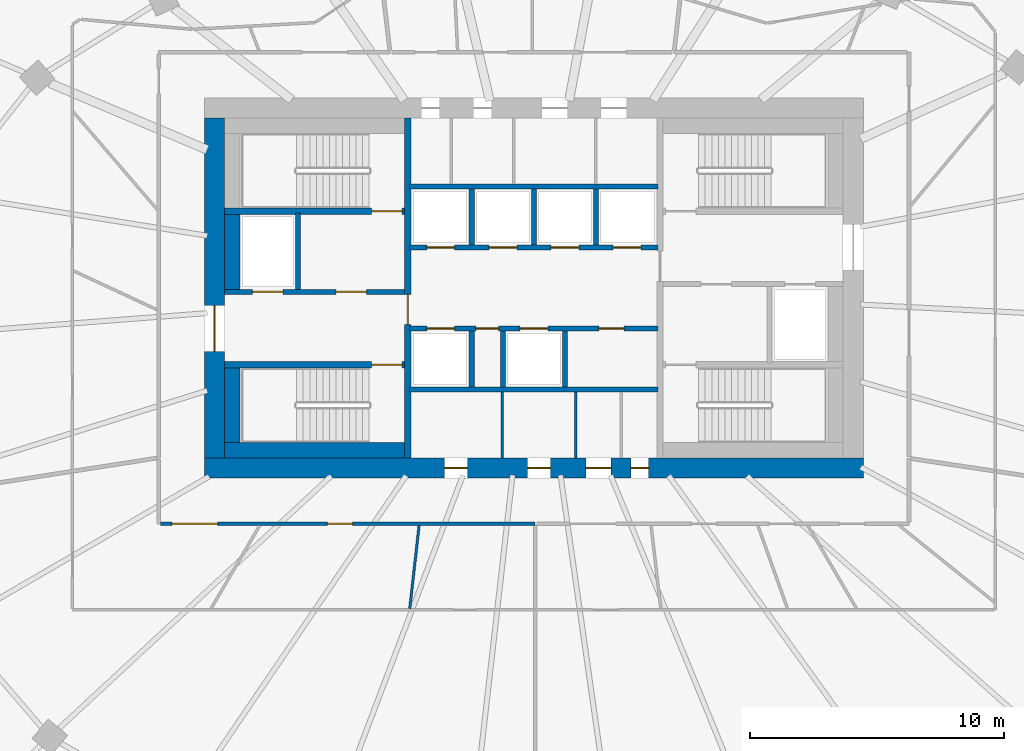
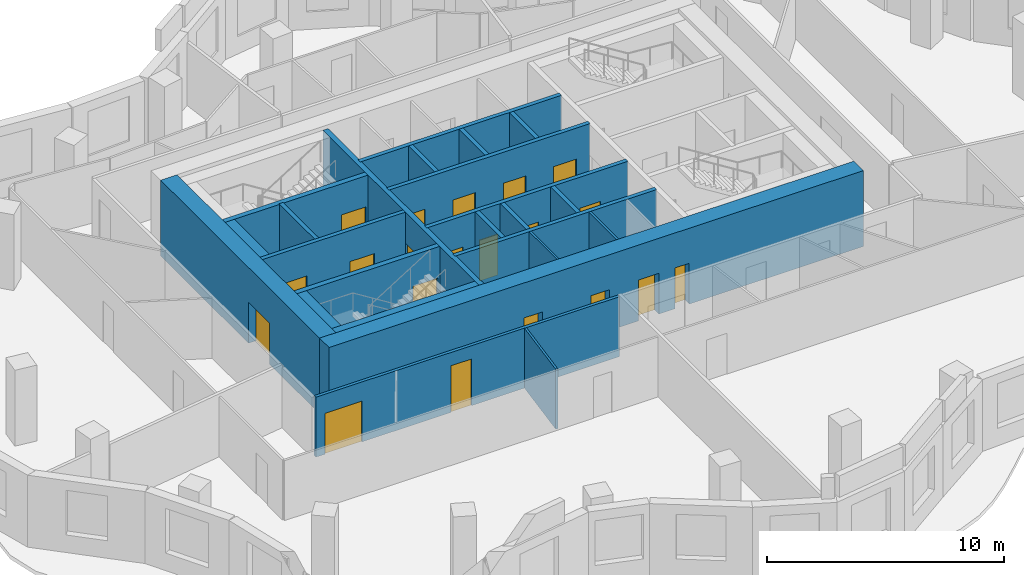
# One storey, part 4 of 9: 24 walls, 20 doors, 20 openings.
"""IFC4 building model written with IfcOpenShell, lengths in metres."""

from ifc_helpers import new_model, si_unit, direction, frame, frame_2d, origin, place, context, subcontext, project, spatial, rectangle, extrude, material, layer, layer_set, type_object, element, fill, save


model = new_model("IFC4")

# Units and contexts
model_context = context("Model", 3, precision=1e-05, world=origin(), true_north=direction((0.0, 1.0)))
body_context = subcontext(model_context, "Body", "Model", "MODEL_VIEW")
ifc_project = project(units=[si_unit("LENGTHUNIT", "METRE"), si_unit("AREAUNIT", "SQUARE_METRE"), si_unit("VOLUMEUNIT", "CUBIC_METRE"), si_unit("PLANEANGLEUNIT", "RADIAN"), si_unit("MASSUNIT", "GRAM", prefix="KILO")], contexts=[model_context])

# Site, building, storey
site_placement = place(None, origin())
site = spatial("IfcSite", under=ifc_project, at=site_placement, CompositionType="ELEMENT")
building_placement = place(site_placement, origin())
building = spatial("IfcBuilding", under=site, at=building_placement, Name="Rubra Terraces Tower", CompositionType="ELEMENT")
storey_placement = place(building_placement, frame((0.0, 0.0, 229.199951171875)))
storey = spatial("IfcBuildingStorey", under=building, at=storey_placement, Name="L56", CompositionType="ELEMENT", Elevation=229.199951171875)

# Wall, openings, doors
ifc_material_1 = material(Name="Concrete C50", Category="concrete")
ifc_layer_1 = layer(ifc_material_1, 0.800048828125)
ifc_layer_set_1 = layer_set([ifc_layer_1], Name="Concrete C50")
wall_type_1 = type_object("IfcWallType", Name="CORE WALL 800 C50", PredefinedType="SHEAR", material=ifc_layer_set_1)
wall_1_placement = place(storey_placement, frame((-13.0, -2.60009765625, 0.0), z_axis=(0.0, 0.0, 1.0), x_axis=(1.0, 0.0, 0.0)))
wall_1 = element("IfcWall", 1, at=wall_1_placement, inside=storey, type_object=wall_type_1, Name="CORE WALL S L56", PredefinedType="SHEAR", context=body_context, shape_type="SweptSolid", body=[
    extrude(rectangle(XDim=26.0, YDim=0.800048828125, at=frame_2d((13.0, 0.0))), origin(), (0.0, 0.0, 1.0), 3.900146484375),
])
opening_1_placement = place(wall_1_placement, frame((9.47509765625, 0.0, 0.0)))
opening_1 = element("IfcOpeningElement", 2, at=opening_1_placement, cuts=wall_1, Name="Opening L56.C21", PredefinedType="OPENING", context=body_context, shape_type="SweptSolid", body=[
    extrude(rectangle(XDim=0.89990234375, YDim=2.10009765625, at=frame_2d((0.449951171875, 1.050048828125))), frame((0.0, 0.409912109375, 0.0), z_axis=(0.0, -1.0, 0.0), x_axis=(1.0, 0.0, 0.0)), (0.0, 0.0, 1.0), 0.820068359375),
])
opening_2_placement = place(wall_1_placement, frame((12.75, 0.0, 0.0)))
opening_2 = element("IfcOpeningElement", 3, at=opening_2_placement, cuts=wall_1, Name="Opening L56.C22", PredefinedType="OPENING", context=body_context, shape_type="SweptSolid", body=[
    extrude(rectangle(XDim=0.89990234375, YDim=2.10009765625, at=frame_2d((0.449951171875, 1.050048828125))), frame((0.0, 0.409912109375, 0.0), z_axis=(0.0, -1.0, 0.0), x_axis=(1.0, 0.0, 0.0)), (0.0, 0.0, 1.0), 0.820068359375),
])
opening_3_placement = place(wall_1_placement, frame((15.050048828125, 0.0, 0.0)))
opening_3 = element("IfcOpeningElement", 4, at=opening_3_placement, cuts=wall_1, Name="Opening L56.C23", PredefinedType="OPENING", context=body_context, shape_type="SweptSolid", body=[
    extrude(rectangle(XDim=1.0, YDim=2.10009765625, at=frame_2d((0.5, 1.050048828125))), frame((0.0, 0.409912109375, 0.0), z_axis=(0.0, -1.0, 0.0), x_axis=(1.0, 0.0, 0.0)), (0.0, 0.0, 1.0), 0.820068359375),
])
opening_4_placement = place(wall_1_placement, frame((16.824951171875, 0.0, 0.0)))
opening_4 = element("IfcOpeningElement", 5, at=opening_4_placement, cuts=wall_1, Name="Opening L56.C24", PredefinedType="OPENING", context=body_context, shape_type="SweptSolid", body=[
    extrude(rectangle(XDim=0.699951171875, YDim=2.10009765625, at=frame_2d((0.35009765625, 1.050048828125))), frame((0.0, 0.409912109375, 0.0), z_axis=(0.0, -1.0, 0.0), x_axis=(1.0, 0.0, 0.0)), (0.0, 0.0, 1.0), 0.820068359375),
])
ifc_material_2 = material(Name="Painted steel", Category="steel")
door_type_1 = type_object("IfcDoorType", Name="Fire door 1000x2100 single", OperationType="NOTDEFINED", PredefinedType="DOOR", material=ifc_material_2)
door_1_placement = place(opening_3_placement, origin())
door_1 = element("IfcDoor", 6, at=door_1_placement, inside=storey, type_object=door_type_1, Name="Accessible WC door", OperationType="SINGLE_SWING_LEFT", OverallHeight=2.10009765625, OverallWidth=1.0, PredefinedType="DOOR", context=body_context, shape_type="SweptSolid", body=[
    extrude(rectangle(XDim=1.0, YDim=2.10009765625, at=frame_2d((0.5, 1.050048828125))), frame((0.0, 0.02490234375, 0.0), z_axis=(0.0, -1.0, 0.0), x_axis=(1.0, 0.0, 0.0)), (0.0, 0.0, 1.0), 0.050048828125),
])
fill(opening_3, door_1)
door_type_2 = type_object("IfcDoorType", Name="Fire door 900x2100 single", OperationType="NOTDEFINED", PredefinedType="DOOR", material=ifc_material_2)
door_2_placement = place(opening_1_placement, origin())
door_2 = element("IfcDoor", 7, at=door_2_placement, inside=storey, type_object=door_type_2, Name="Ladies WC door", OperationType="SINGLE_SWING_LEFT", OverallHeight=2.10009765625, OverallWidth=0.89990234375, PredefinedType="DOOR", context=body_context, shape_type="SweptSolid", body=[
    extrude(rectangle(XDim=0.89990234375, YDim=2.10009765625, at=frame_2d((0.449951171875, 1.050048828125))), frame((0.0, 0.02490234375, 0.0), z_axis=(0.0, -1.0, 0.0), x_axis=(1.0, 0.0, 0.0)), (0.0, 0.0, 1.0), 0.050048828125),
])
fill(opening_1, door_2)
door_3_placement = place(opening_2_placement, origin())
door_3 = element("IfcDoor", 8, at=door_3_placement, inside=storey, type_object=door_type_2, Name="Gents WC door", OperationType="SINGLE_SWING_RIGHT", OverallHeight=2.10009765625, OverallWidth=0.89990234375, PredefinedType="DOOR", context=body_context, shape_type="SweptSolid", body=[
    extrude(rectangle(XDim=0.89990234375, YDim=2.10009765625, at=frame_2d((0.449951171875, 1.050048828125))), frame((0.0, 0.02490234375, 0.0), z_axis=(0.0, -1.0, 0.0), x_axis=(1.0, 0.0, 0.0)), (0.0, 0.0, 1.0), 0.050048828125),
])
fill(opening_2, door_3)
door_type_3 = type_object("IfcDoorType", Name="Riser access door 700x2100 single", OperationType="NOTDEFINED", PredefinedType="DOOR", material=ifc_material_2)
door_4_placement = place(opening_4_placement, origin())
door_4 = element("IfcDoor", 9, at=door_4_placement, inside=storey, type_object=door_type_3, Name="Electrical riser room door", OperationType="SINGLE_SWING_RIGHT", OverallHeight=2.10009765625, OverallWidth=0.699951171875, PredefinedType="DOOR", context=body_context, shape_type="SweptSolid", body=[
    extrude(rectangle(XDim=0.699951171875, YDim=2.10009765625, at=frame_2d((0.35009765625, 1.050048828125))), frame((0.0, 0.02490234375, 0.0), z_axis=(0.0, -1.0, 0.0), x_axis=(1.0, 0.0, 0.0)), (0.0, 0.0, 1.0), 0.050048828125),
])
fill(opening_4, door_4)

# Wall, opening, door
wall_2_placement = place(storey_placement, frame((-12.60009765625, -2.199951171875, 0.0), z_axis=(0.0, 0.0, 1.0), x_axis=(0.0, 1.0, 0.0)))
wall_2 = element("IfcWall", 10, at=wall_2_placement, inside=storey, type_object=wall_type_1, Name="CORE WALL W L56", PredefinedType="SHEAR", context=body_context, shape_type="SweptSolid", body=[
    extrude(rectangle(XDim=13.39990234375, YDim=0.800048828125, at=frame_2d((6.699951171875, 0.0))), origin(), (0.0, 0.0, 1.0), 3.900146484375),
])
opening_5_placement = place(wall_2_placement, frame((4.199951171875, 0.0, 0.0)))
opening_5 = element("IfcOpeningElement", 11, at=opening_5_placement, cuts=wall_2, Name="Opening L56.C01", PredefinedType="OPENING", context=body_context, shape_type="SweptSolid", body=[
    extrude(rectangle(XDim=1.800048828125, YDim=2.10009765625, at=frame_2d((0.89990234375, 1.050048828125))), frame((0.0, 0.409912109375, 0.0), z_axis=(0.0, -1.0, 0.0), x_axis=(1.0, 0.0, 0.0)), (0.0, 0.0, 1.0), 0.820068359375),
])
door_type_4 = type_object("IfcDoorType", Name="Fire door 1800x2100 double", OperationType="NOTDEFINED", PredefinedType="DOOR", material=ifc_material_2)
door_5_placement = place(opening_5_placement, origin())
door_5 = element("IfcDoor", 12, at=door_5_placement, inside=storey, type_object=door_type_4, Name="Core entrance door FF1", OperationType="DOUBLE_DOOR_SINGLE_SWING", OverallHeight=2.10009765625, OverallWidth=1.800048828125, PredefinedType="DOOR", context=body_context, shape_type="SweptSolid", body=[
    extrude(rectangle(XDim=1.800048828125, YDim=2.10009765625, at=frame_2d((0.89990234375, 1.050048828125))), frame((0.0, 0.02490234375, 0.0), z_axis=(0.0, -1.0, 0.0), x_axis=(1.0, 0.0, 0.0)), (0.0, 0.0, 1.0), 0.050048828125),
])
fill(opening_5, door_5)

# Wall, openings, doors
ifc_material_3 = material(Name="Plasterboard on steel stud, mineral wool infill", Category="steel")
ifc_layer_2 = layer(ifc_material_3, 0.14990234375)
ifc_layer_set_2 = layer_set([ifc_layer_2], Name="Plasterboard on steel stud, mineral wool infill")
wall_type_2 = type_object("IfcWallType", Name="CORRIDOR PARTITION 150", PredefinedType="PARTITIONING", material=ifc_layer_set_2)
wall_3_placement = place(storey_placement, frame((-14.72509765625, -4.800048828125, 0.0), z_axis=(0.0, 0.0, 1.0), x_axis=(1.0, 0.0, 0.0)))
wall_3 = element("IfcWall", 13, at=wall_3_placement, inside=storey, type_object=wall_type_2, Name="PARTITION", PredefinedType="PARTITIONING", context=body_context, shape_type="SweptSolid", body=[
    extrude(rectangle(XDim=14.777099609375, YDim=0.14990234375, at=frame_2d((7.388671875, 0.0))), origin(), (0.0, 0.0, 1.0), 3.083984375),
])
opening_6_placement = place(wall_3_placement, frame((0.449951171875, 0.0, 0.0)))
opening_6 = element("IfcOpeningElement", 14, at=opening_6_placement, cuts=wall_3, Name="Opening 56-106", PredefinedType="OPENING", context=body_context, shape_type="SweptSolid", body=[
    extrude(rectangle(XDim=1.800048828125, YDim=2.10009765625, at=frame_2d((0.89990234375, 1.050048828125))), frame((0.0, 0.0849609375, 0.0), z_axis=(0.0, -1.0, 0.0), x_axis=(1.0, 0.0, 0.0)), (0.0, 0.0, 1.0), 0.169921875),
])
opening_7_placement = place(wall_3_placement, frame((6.5791015625, 0.0, 0.0)))
opening_7 = element("IfcOpeningElement", 15, at=opening_7_placement, cuts=wall_3, Name="Opening 56-108", PredefinedType="OPENING", context=body_context, shape_type="SweptSolid", body=[
    extrude(rectangle(XDim=1.0, YDim=2.39990234375, at=frame_2d((0.5, 1.199951171875))), frame((0.0, 0.0849609375, 0.0), z_axis=(0.0, -1.0, 0.0), x_axis=(1.0, 0.0, 0.0)), (0.0, 0.0, 1.0), 0.169921875),
])
ifc_material_4 = material(Name="Glazed aluminium meeting door leaf", Category="aluminium")
door_type_5 = type_object("IfcDoorType", Name="MEETING ROOM GLAZED DOOR 1000 X 2400", OperationType="SINGLE_SWING_LEFT", PredefinedType="DOOR", material=ifc_material_4)
door_6_placement = place(opening_7_placement, origin())
door_6 = element("IfcDoor", 16, at=door_6_placement, inside=storey, type_object=door_type_5, Name="DOOR 56-108", OperationType="SINGLE_SWING_RIGHT", OverallHeight=2.39990234375, OverallWidth=1.0, PredefinedType="DOOR", context=body_context, shape_type="SweptSolid", body=[
    extrude(rectangle(XDim=1.0, YDim=2.39990234375, at=frame_2d((0.5, 1.199951171875))), frame((0.0, 0.02490234375, 0.0), z_axis=(0.0, -1.0, 0.0), x_axis=(1.0, 0.0, 0.0)), (0.0, 0.0, 1.0), 0.050048828125),
])
fill(opening_7, door_6)
ifc_material_5 = material(Name="Painted timber door leaf, double", Category="wood")
door_type_6 = type_object("IfcDoorType", Name="ROOM DOUBLE DOOR 1800 X 2100", OperationType="DOUBLE_DOOR_SINGLE_SWING", PredefinedType="DOOR", material=ifc_material_5)
door_7_placement = place(opening_6_placement, origin())
door_7 = element("IfcDoor", 17, at=door_7_placement, inside=storey, type_object=door_type_6, Name="DOOR 56-106", OperationType="DOUBLE_DOOR_SINGLE_SWING", OverallHeight=2.10009765625, OverallWidth=1.800048828125, PredefinedType="DOOR", context=body_context, shape_type="SweptSolid", body=[
    extrude(rectangle(XDim=1.800048828125, YDim=2.10009765625, at=frame_2d((0.89990234375, 1.050048828125))), frame((0.0, 0.02490234375, 0.0), z_axis=(0.0, -1.0, 0.0), x_axis=(1.0, 0.0, 0.0)), (0.0, 0.0, 1.0), 0.050048828125),
])
fill(opening_6, door_7)

# Walls
ifc_material_6 = material(Name="Concrete C40", Category="concrete")
ifc_layer_3 = layer(ifc_material_6, 0.60009765625)
ifc_layer_set_3 = layer_set([ifc_layer_3], Name="Concrete C40")
wall_type_3 = type_object("IfcWallType", Name="Core lining wall 600 concrete", PredefinedType="SOLIDWALL", material=ifc_layer_set_3)
wall_4_placement = place(storey_placement, frame((-12.199951171875, -1.89990234375, 0.0), z_axis=(0.0, 0.0, 1.0), x_axis=(1.0, 0.0, 0.0)))
element("IfcWall", 18, at=wall_4_placement, inside=storey, type_object=wall_type_3, Name="CORE LINING WALL L56", PredefinedType="SOLIDWALL", context=body_context, shape_type="SweptSolid", body=[
    extrude(rectangle(XDim=7.099853515625, YDim=0.60009765625, at=frame_2d((3.5498046875, 0.0))), origin(), (0.0, 0.0, 1.0), 3.699951171875),
])
wall_5_placement = place(storey_placement, frame((-11.89990234375, -1.60009765625, 0.0), z_axis=(0.0, 0.0, 1.0), x_axis=(0.0, 1.0, 0.0)))
element("IfcWall", 19, at=wall_5_placement, inside=storey, type_object=wall_type_3, Name="CORE LINING WALL L56", PredefinedType="SOLIDWALL", context=body_context, shape_type="SweptSolid", body=[
    extrude(rectangle(XDim=2.9501953125, YDim=0.60009765625, at=frame_2d((1.47509765625, 0.0))), origin(), (0.0, 0.0, 1.0), 3.699951171875),
])
wall_6_placement = place(storey_placement, frame((-11.89990234375, 4.449951171875, 0.0), z_axis=(0.0, 0.0, 1.0), x_axis=(0.0, 1.0, 0.0)))
element("IfcWall", 20, at=wall_6_placement, inside=storey, type_object=wall_type_3, Name="CORE LINING WALL L56", PredefinedType="SOLIDWALL", context=body_context, shape_type="SweptSolid", body=[
    extrude(rectangle(XDim=3.0, YDim=0.60009765625, at=frame_2d((1.5, 0.0))), origin(), (0.0, 0.0, 1.0), 3.699951171875),
])

# Wall, openings, doors
ifc_material_7 = material(Name="Concrete C30", Category="concrete")
ifc_layer_4 = layer(ifc_material_7, 0.199951171875)
ifc_layer_set_4 = layer_set([ifc_layer_4], Name="Concrete C30")
wall_type_4 = type_object("IfcWallType", Name="Core wall 200 concrete", PredefinedType="SOLIDWALL", material=ifc_layer_set_4)
wall_7_placement = place(storey_placement, frame((-12.199951171875, 4.35009765625, 0.0), z_axis=(0.0, 0.0, 1.0), x_axis=(1.0, 0.0, 0.0)))
wall_7 = element("IfcWall", 21, at=wall_7_placement, inside=storey, type_object=wall_type_4, Name="STAIR WALL L56", PredefinedType="SOLIDWALL", context=body_context, shape_type="SweptSolid", body=[
    extrude(rectangle(XDim=7.099853515625, YDim=0.199951171875, at=frame_2d((3.5498046875, 0.0))), origin(), (0.0, 0.0, 1.0), 3.699951171875),
])
opening_8_placement = place(wall_7_placement, frame((4.39990234375, 0.0, 0.0)))
opening_8 = element("IfcOpeningElement", 22, at=opening_8_placement, cuts=wall_7, Name="Opening L56.C05", PredefinedType="OPENING", context=body_context, shape_type="SweptSolid", body=[
    extrude(rectangle(XDim=1.199951171875, YDim=2.10009765625, at=frame_2d((0.60009765625, 1.050048828125))), frame((0.0, 0.10986328125, 0.0), z_axis=(0.0, -1.0, 0.0), x_axis=(1.0, 0.0, 0.0)), (0.0, 0.0, 1.0), 0.219970703125),
])
opening_9_placement = place(wall_7_placement, frame((1.10009765625, 0.0, 0.0)))
opening_9 = element("IfcOpeningElement", 23, at=opening_9_placement, cuts=wall_7, Name="Opening L56.C11", PredefinedType="OPENING", context=body_context, shape_type="SweptSolid", body=[
    extrude(rectangle(XDim=1.199951171875, YDim=2.10009765625, at=frame_2d((0.60009765625, 1.050048828125))), frame((0.0, 0.10986328125, 0.0), z_axis=(0.0, -1.0, 0.0), x_axis=(1.0, 0.0, 0.0)), (0.0, 0.0, 1.0), 0.219970703125),
])
door_type_7 = type_object("IfcDoorType", Name="Fire door 1200x2100 single", OperationType="NOTDEFINED", PredefinedType="DOOR", material=ifc_material_2)
door_8_placement = place(opening_8_placement, origin())
door_8 = element("IfcDoor", 24, at=door_8_placement, inside=storey, type_object=door_type_7, Name="Stair vestibule door S2", OperationType="SINGLE_SWING_LEFT", OverallHeight=2.10009765625, OverallWidth=1.199951171875, PredefinedType="DOOR", context=body_context, shape_type="SweptSolid", body=[
    extrude(rectangle(XDim=1.199951171875, YDim=2.10009765625, at=frame_2d((0.60009765625, 1.050048828125))), frame((0.0, 0.02490234375, 0.0), z_axis=(0.0, -1.0, 0.0), x_axis=(1.0, 0.0, 0.0)), (0.0, 0.0, 1.0), 0.050048828125),
])
fill(opening_8, door_8)
ifc_material_8 = material(Name="Stainless steel", Category="steel")
door_type_8 = type_object("IfcDoorType", Name="Lift landing door 1200x2100", OperationType="NOTDEFINED", PredefinedType="DOOR", material=ifc_material_8)
door_9_placement = place(opening_9_placement, origin())
door_9 = element("IfcDoor", 25, at=door_9_placement, inside=storey, type_object=door_type_8, Name="Landing door FF1", OperationType="SLIDING_TO_RIGHT", OverallHeight=2.10009765625, OverallWidth=1.199951171875, PredefinedType="DOOR", context=body_context, shape_type="SweptSolid", body=[
    extrude(rectangle(XDim=1.199951171875, YDim=2.10009765625, at=frame_2d((0.60009765625, 1.050048828125))), frame((0.0, 0.02490234375, 0.0), z_axis=(0.0, -1.0, 0.0), x_axis=(1.0, 0.0, 0.0)), (0.0, 0.0, 1.0), 0.050048828125),
])
fill(opening_9, door_9)

# Walls
wall_8_placement = place(storey_placement, frame((-9.300048828125, 4.449951171875, 0.0), z_axis=(0.0, 0.0, 1.0), x_axis=(0.0, 1.0, 0.0)))
element("IfcWall", 26, at=wall_8_placement, inside=storey, type_object=wall_type_4, Name="STAIR WALL L56", PredefinedType="SOLIDWALL", context=body_context, shape_type="SweptSolid", body=[
    extrude(rectangle(XDim=3.0, YDim=0.199951171875, at=frame_2d((1.5, 0.0))), origin(), (0.0, 0.0, 1.0), 3.699951171875),
])
wall_9_placement = place(storey_placement, frame((-4.89990234375, 0.5, 0.0), z_axis=(0.0, 0.0, 1.0), x_axis=(1.0, 0.0, 0.0)))
element("IfcWall", 27, at=wall_9_placement, inside=storey, type_object=wall_type_4, Name="LIFT SHAFT WALL L56", PredefinedType="SOLIDWALL", context=body_context, shape_type="SweptSolid", body=[
    extrude(rectangle(XDim=9.7998046875, YDim=0.199951171875, at=frame_2d((4.89990234375, 0.0))), origin(), (0.0, 0.0, 1.0), 3.699951171875),
])

# Wall, openings, doors
wall_10_placement = place(storey_placement, frame((-4.89990234375, 2.89990234375, 0.0), z_axis=(0.0, 0.0, 1.0), x_axis=(1.0, 0.0, 0.0)))
wall_10 = element("IfcWall", 28, at=wall_10_placement, inside=storey, type_object=wall_type_4, Name="LIFT SHAFT WALL L56", PredefinedType="SOLIDWALL", context=body_context, shape_type="SweptSolid", body=[
    extrude(rectangle(XDim=9.7998046875, YDim=0.199951171875, at=frame_2d((4.89990234375, 0.0))), origin(), (0.0, 0.0, 1.0), 3.699951171875),
])
opening_10_placement = place(wall_10_placement, frame((0.675048828125, 0.0, 0.0)))
opening_10 = element("IfcOpeningElement", 29, at=opening_10_placement, cuts=wall_10, Name="Opening L56.C13", PredefinedType="OPENING", context=body_context, shape_type="SweptSolid", body=[
    extrude(rectangle(XDim=1.10009765625, YDim=2.10009765625, at=frame_2d((0.550048828125, 1.050048828125))), frame((0.0, 0.10986328125, 0.0), z_axis=(0.0, -1.0, 0.0), x_axis=(1.0, 0.0, 0.0)), (0.0, 0.0, 1.0), 0.219970703125),
])
opening_11_placement = place(wall_10_placement, frame((2.613037109375, 0.0, 0.0)))
opening_11 = element("IfcOpeningElement", 30, at=opening_11_placement, cuts=wall_10, Name="Opening L56.C14", PredefinedType="OPENING", context=body_context, shape_type="SweptSolid", body=[
    extrude(rectangle(XDim=0.89990234375, YDim=2.10009765625, at=frame_2d((0.449951171875, 1.050048828125))), frame((0.0, 0.10986328125, 0.0), z_axis=(0.0, -1.0, 0.0), x_axis=(1.0, 0.0, 0.0)), (0.0, 0.0, 1.0), 0.219970703125),
])
opening_12_placement = place(wall_10_placement, frame((4.35009765625, 0.0, 0.0)))
opening_12 = element("IfcOpeningElement", 31, at=opening_12_placement, cuts=wall_10, Name="Opening L56.C15", PredefinedType="OPENING", context=body_context, shape_type="SweptSolid", body=[
    extrude(rectangle(XDim=1.10009765625, YDim=2.10009765625, at=frame_2d((0.550048828125, 1.050048828125))), frame((0.0, 0.10986328125, 0.0), z_axis=(0.0, -1.0, 0.0), x_axis=(1.0, 0.0, 0.0)), (0.0, 0.0, 1.0), 0.219970703125),
])
opening_13_placement = place(wall_10_placement, frame((7.462890625, 0.0, 0.0)))
opening_13 = element("IfcOpeningElement", 32, at=opening_13_placement, cuts=wall_10, Name="Opening L56.C16", PredefinedType="OPENING", context=body_context, shape_type="SweptSolid", body=[
    extrude(rectangle(XDim=1.0, YDim=2.10009765625, at=frame_2d((0.5, 1.050048828125))), frame((0.0, 0.10986328125, 0.0), z_axis=(0.0, -1.0, 0.0), x_axis=(1.0, 0.0, 0.0)), (0.0, 0.0, 1.0), 0.219970703125),
])
door_10_placement = place(opening_13_placement, origin())
door_10 = element("IfcDoor", 33, at=door_10_placement, inside=storey, type_object=door_type_1, Name="Guest pantry door", OperationType="SINGLE_SWING_RIGHT", OverallHeight=2.10009765625, OverallWidth=1.0, PredefinedType="DOOR", context=body_context, shape_type="SweptSolid", body=[
    extrude(rectangle(XDim=1.0, YDim=2.10009765625, at=frame_2d((0.5, 1.050048828125))), frame((0.0, 0.02490234375, 0.0), z_axis=(0.0, -1.0, 0.0), x_axis=(1.0, 0.0, 0.0)), (0.0, 0.0, 1.0), 0.050048828125),
])
fill(opening_13, door_10)
door_11_placement = place(opening_11_placement, origin())
door_11 = element("IfcDoor", 34, at=door_11_placement, inside=storey, type_object=door_type_2, Name="Cleaner's store door", OperationType="SINGLE_SWING_RIGHT", OverallHeight=2.10009765625, OverallWidth=0.89990234375, PredefinedType="DOOR", context=body_context, shape_type="SweptSolid", body=[
    extrude(rectangle(XDim=0.89990234375, YDim=2.10009765625, at=frame_2d((0.449951171875, 1.050048828125))), frame((0.0, 0.02490234375, 0.0), z_axis=(0.0, -1.0, 0.0), x_axis=(1.0, 0.0, 0.0)), (0.0, 0.0, 1.0), 0.050048828125),
])
fill(opening_11, door_11)
door_type_9 = type_object("IfcDoorType", Name="Lift landing door 1100x2100", OperationType="NOTDEFINED", PredefinedType="DOOR", material=ifc_material_8)
door_12_placement = place(opening_10_placement, origin())
door_12 = element("IfcDoor", 35, at=door_12_placement, inside=storey, type_object=door_type_9, Name="Landing door HB1", OperationType="SLIDING_TO_RIGHT", OverallHeight=2.10009765625, OverallWidth=1.10009765625, PredefinedType="DOOR", context=body_context, shape_type="SweptSolid", body=[
    extrude(rectangle(XDim=1.10009765625, YDim=2.10009765625, at=frame_2d((0.550048828125, 1.050048828125))), frame((0.0, 0.02490234375, 0.0), z_axis=(0.0, -1.0, 0.0), x_axis=(1.0, 0.0, 0.0)), (0.0, 0.0, 1.0), 0.050048828125),
])
fill(opening_10, door_12)
door_13_placement = place(opening_12_placement, origin())
door_13 = element("IfcDoor", 36, at=door_13_placement, inside=storey, type_object=door_type_9, Name="Landing door HB2", OperationType="SLIDING_TO_LEFT", OverallHeight=2.10009765625, OverallWidth=1.10009765625, PredefinedType="DOOR", context=body_context, shape_type="SweptSolid", body=[
    extrude(rectangle(XDim=1.10009765625, YDim=2.10009765625, at=frame_2d((0.550048828125, 1.050048828125))), frame((0.0, 0.02490234375, 0.0), z_axis=(0.0, -1.0, 0.0), x_axis=(1.0, 0.0, 0.0)), (0.0, 0.0, 1.0), 0.050048828125),
])
fill(opening_12, door_13)

wall_11_placement = place(storey_placement, frame((-4.89990234375, 6.10009765625, 0.0), z_axis=(0.0, 0.0, 1.0), x_axis=(1.0, 0.0, 0.0)))
wall_11 = element("IfcWall", 37, at=wall_11_placement, inside=storey, type_object=wall_type_4, Name="LIFT SHAFT WALL L56", PredefinedType="SOLIDWALL", context=body_context, shape_type="SweptSolid", body=[
    extrude(rectangle(XDim=9.7998046875, YDim=0.199951171875, at=frame_2d((4.89990234375, 0.0))), origin(), (0.0, 0.0, 1.0), 3.699951171875),
])
opening_14_placement = place(wall_11_placement, frame((0.675048828125, 0.0, 0.0)))
opening_14 = element("IfcOpeningElement", 38, at=opening_14_placement, cuts=wall_11, Name="Opening L56.C17", PredefinedType="OPENING", context=body_context, shape_type="SweptSolid", body=[
    extrude(rectangle(XDim=1.10009765625, YDim=2.10009765625, at=frame_2d((0.550048828125, 1.050048828125))), frame((0.0, 0.10986328125, 0.0), z_axis=(0.0, -1.0, 0.0), x_axis=(1.0, 0.0, 0.0)), (0.0, 0.0, 1.0), 0.219970703125),
])
opening_15_placement = place(wall_11_placement, frame((3.125, 0.0, 0.0)))
opening_15 = element("IfcOpeningElement", 39, at=opening_15_placement, cuts=wall_11, Name="Opening L56.C18", PredefinedType="OPENING", context=body_context, shape_type="SweptSolid", body=[
    extrude(rectangle(XDim=1.10009765625, YDim=2.10009765625, at=frame_2d((0.550048828125, 1.050048828125))), frame((0.0, 0.10986328125, 0.0), z_axis=(0.0, -1.0, 0.0), x_axis=(1.0, 0.0, 0.0)), (0.0, 0.0, 1.0), 0.219970703125),
])
opening_16_placement = place(wall_11_placement, frame((5.574951171875, 0.0, 0.0)))
opening_16 = element("IfcOpeningElement", 40, at=opening_16_placement, cuts=wall_11, Name="Opening L56.C19", PredefinedType="OPENING", context=body_context, shape_type="SweptSolid", body=[
    extrude(rectangle(XDim=1.10009765625, YDim=2.10009765625, at=frame_2d((0.550048828125, 1.050048828125))), frame((0.0, 0.10986328125, 0.0), z_axis=(0.0, -1.0, 0.0), x_axis=(1.0, 0.0, 0.0)), (0.0, 0.0, 1.0), 0.219970703125),
])
opening_17_placement = place(wall_11_placement, frame((8.02490234375, 0.0, 0.0)))
opening_17 = element("IfcOpeningElement", 41, at=opening_17_placement, cuts=wall_11, Name="Opening L56.C20", PredefinedType="OPENING", context=body_context, shape_type="SweptSolid", body=[
    extrude(rectangle(XDim=1.10009765625, YDim=2.10009765625, at=frame_2d((0.550048828125, 1.050048828125))), frame((0.0, 0.10986328125, 0.0), z_axis=(0.0, -1.0, 0.0), x_axis=(1.0, 0.0, 0.0)), (0.0, 0.0, 1.0), 0.219970703125),
])
door_14_placement = place(opening_14_placement, origin())
door_14 = element("IfcDoor", 42, at=door_14_placement, inside=storey, type_object=door_type_9, Name="Landing door HB3", OperationType="SLIDING_TO_RIGHT", OverallHeight=2.10009765625, OverallWidth=1.10009765625, PredefinedType="DOOR", context=body_context, shape_type="SweptSolid", body=[
    extrude(rectangle(XDim=1.10009765625, YDim=2.10009765625, at=frame_2d((0.550048828125, 1.050048828125))), frame((0.0, 0.02490234375, 0.0), z_axis=(0.0, -1.0, 0.0), x_axis=(1.0, 0.0, 0.0)), (0.0, 0.0, 1.0), 0.050048828125),
])
fill(opening_14, door_14)
door_15_placement = place(opening_15_placement, origin())
door_15 = element("IfcDoor", 43, at=door_15_placement, inside=storey, type_object=door_type_9, Name="Landing door HB4", OperationType="SLIDING_TO_LEFT", OverallHeight=2.10009765625, OverallWidth=1.10009765625, PredefinedType="DOOR", context=body_context, shape_type="SweptSolid", body=[
    extrude(rectangle(XDim=1.10009765625, YDim=2.10009765625, at=frame_2d((0.550048828125, 1.050048828125))), frame((0.0, 0.02490234375, 0.0), z_axis=(0.0, -1.0, 0.0), x_axis=(1.0, 0.0, 0.0)), (0.0, 0.0, 1.0), 0.050048828125),
])
fill(opening_15, door_15)
door_16_placement = place(opening_16_placement, origin())
door_16 = element("IfcDoor", 44, at=door_16_placement, inside=storey, type_object=door_type_9, Name="Landing door HB5", OperationType="SLIDING_TO_RIGHT", OverallHeight=2.10009765625, OverallWidth=1.10009765625, PredefinedType="DOOR", context=body_context, shape_type="SweptSolid", body=[
    extrude(rectangle(XDim=1.10009765625, YDim=2.10009765625, at=frame_2d((0.550048828125, 1.050048828125))), frame((0.0, 0.02490234375, 0.0), z_axis=(0.0, -1.0, 0.0), x_axis=(1.0, 0.0, 0.0)), (0.0, 0.0, 1.0), 0.050048828125),
])
fill(opening_16, door_16)
door_17_placement = place(opening_17_placement, origin())
door_17 = element("IfcDoor", 45, at=door_17_placement, inside=storey, type_object=door_type_9, Name="Landing door HB6", OperationType="SLIDING_TO_LEFT", OverallHeight=2.10009765625, OverallWidth=1.10009765625, PredefinedType="DOOR", context=body_context, shape_type="SweptSolid", body=[
    extrude(rectangle(XDim=1.10009765625, YDim=2.10009765625, at=frame_2d((0.550048828125, 1.050048828125))), frame((0.0, 0.02490234375, 0.0), z_axis=(0.0, -1.0, 0.0), x_axis=(1.0, 0.0, 0.0)), (0.0, 0.0, 1.0), 0.050048828125),
])
fill(opening_17, door_17)

# Walls
wall_12_placement = place(storey_placement, frame((-4.89990234375, 8.5, 0.0), z_axis=(0.0, 0.0, 1.0), x_axis=(1.0, 0.0, 0.0)))
element("IfcWall", 46, at=wall_12_placement, inside=storey, type_object=wall_type_4, Name="LIFT SHAFT WALL L56", PredefinedType="SOLIDWALL", context=body_context, shape_type="SweptSolid", body=[
    extrude(rectangle(XDim=9.7998046875, YDim=0.199951171875, at=frame_2d((4.89990234375, 0.0))), origin(), (0.0, 0.0, 1.0), 3.699951171875),
])
for number, where, z_axis, x_axis, name in (
    (47, (-2.449951171875, 0.60009765625, 0.0), (0.0, 0.0, 1.0), (0.0, 1.0, 0.0), "LIFT SHAFT WALL L56"),
    (48, (-1.22509765625, 0.60009765625, 0.0), (0.0, 0.0, 1.0), (0.0, 1.0, 0.0), "LIFT SHAFT WALL L56"),
    (49, (1.22509765625, 0.60009765625, 0.0), (0.0, 0.0, 1.0), (0.0, 1.0, 0.0), "LIFT SHAFT WALL L56"),
    (50, (-2.449951171875, 6.199951171875, 0.0), (0.0, 0.0, 1.0), (0.0, 1.0, 0.0), "LIFT SHAFT WALL L56"),
    (51, (0.0, 6.199951171875, 0.0), (0.0, 0.0, 1.0), (0.0, 1.0, 0.0), "LIFT SHAFT WALL L56"),
    (52, (2.449951171875, 6.199951171875, 0.0), (0.0, 0.0, 1.0), (0.0, 1.0, 0.0), "LIFT SHAFT WALL L56"),
):
    element("IfcWall", number, at=place(storey_placement, frame(where, z_axis=z_axis, x_axis=x_axis)), inside=storey, type_object=wall_type_4, Name=name, PredefinedType="SOLIDWALL", context=body_context, shape_type="SweptSolid", body=[
        extrude(rectangle(XDim=2.199951171875, YDim=0.199951171875, at=frame_2d((1.10009765625, 0.0))), origin(), (0.0, 0.0, 1.0), 3.699951171875),
    ])
ifc_material_9 = material(Name="Plasterboard on steel stud", Category="steel")
ifc_layer_5 = layer(ifc_material_9, 0.10009765625)
ifc_layer_set_5 = layer_set([ifc_layer_5], Name="Plasterboard on steel stud")
wall_type_5 = type_object("IfcWallType", Name="ROOM PARTITION 100", PredefinedType="PARTITIONING", material=ifc_layer_set_5)
wall_13_placement = place(storey_placement, frame((-4.52734375, -4.87451171875, 0.0), z_axis=(0.0, 0.0, 1.0), x_axis=(-0.111902643695, -0.993719174784, 0.0)))
element("IfcWall", 53, at=wall_13_placement, inside=storey, type_object=wall_type_5, Name="PARTITION", PredefinedType="PARTITIONING", context=body_context, shape_type="SweptSolid", body=[
    extrude(rectangle(XDim=3.296630859375, YDim=0.10009765625, at=frame_2d((1.6484375, 0.0))), origin(), (0.0, 0.0, 1.0), 3.083984375),
])
ifc_material_10 = material(Name="Blockwork", Category="masonry")
ifc_layer_6 = layer(ifc_material_10, 0.10009765625)
ifc_layer_set_6 = layer_set([ifc_layer_6], Name="Blockwork")
wall_type_6 = type_object("IfcWallType", Name="Service partition 100 blockwork", PredefinedType="PARTITIONING", material=ifc_layer_set_6)
for number, where, z_axis, x_axis, name in (
    (54, (-1.25, -2.199951171875, 0.0), (0.0, 0.0, 1.0), (0.0, 1.0, 0.0), "SERVICE ROOM PARTITION L56"),
    (55, (1.64990234375, -2.199951171875, 0.0), (0.0, 0.0, 1.0), (0.0, 1.0, 0.0), "SERVICE ROOM PARTITION L56"),
):
    element("IfcWall", number, at=place(storey_placement, frame(where, z_axis=z_axis, x_axis=x_axis)), inside=storey, type_object=wall_type_6, Name=name, PredefinedType="PARTITIONING", context=body_context, shape_type="SweptSolid", body=[
        extrude(rectangle(XDim=2.599853515625, YDim=0.10009765625, at=frame_2d((1.2998046875, 0.0))), origin(), (0.0, 0.0, 1.0), 3.699951171875),
    ])

# Wall, opening, door
ifc_layer_7 = layer(ifc_material_6, 0.25)
ifc_layer_set_7 = layer_set([ifc_layer_7], Name="Concrete C40")
wall_type_7 = type_object("IfcWallType", Name="Stair enclosure wall 250 concrete", PredefinedType="SOLIDWALL", material=ifc_layer_set_7)
wall_14_placement = place(storey_placement, frame((-12.199951171875, 1.47509765625, 0.0), z_axis=(0.0, 0.0, 1.0), x_axis=(1.0, 0.0, 0.0)))
wall_14 = element("IfcWall", 56, at=wall_14_placement, inside=storey, type_object=wall_type_7, Name="STAIR WALL L56", PredefinedType="SOLIDWALL", context=body_context, shape_type="SweptSolid", body=[
    extrude(rectangle(XDim=7.099853515625, YDim=0.25, at=frame_2d((3.5498046875, 0.0))), origin(), (0.0, 0.0, 1.0), 3.699951171875),
])
opening_18_placement = place(wall_14_placement, frame((5.800048828125, 0.0, 0.0)))
opening_18 = element("IfcOpeningElement", 57, at=opening_18_placement, cuts=wall_14, Name="Opening L56.C07", PredefinedType="OPENING", context=body_context, shape_type="SweptSolid", body=[
    extrude(rectangle(XDim=1.199951171875, YDim=2.10009765625, at=frame_2d((0.60009765625, 1.050048828125))), frame((0.0, 0.135009765625, 0.0), z_axis=(0.0, -1.0, 0.0), x_axis=(1.0, 0.0, 0.0)), (0.0, 0.0, 1.0), 0.27001953125),
])
door_18_placement = place(opening_18_placement, origin())
door_18 = element("IfcDoor", 58, at=door_18_placement, inside=storey, type_object=door_type_7, Name="Stair door S1", OperationType="SINGLE_SWING_LEFT", OverallHeight=2.10009765625, OverallWidth=1.199951171875, PredefinedType="DOOR", context=body_context, shape_type="SweptSolid", body=[
    extrude(rectangle(XDim=1.199951171875, YDim=2.10009765625, at=frame_2d((0.60009765625, 1.050048828125))), frame((0.0, 0.02490234375, 0.0), z_axis=(0.0, -1.0, 0.0), x_axis=(1.0, 0.0, 0.0)), (0.0, 0.0, 1.0), 0.050048828125),
])
fill(opening_18, door_18)

wall_15_placement = place(storey_placement, frame((-12.199951171875, 7.52490234375, 0.0), z_axis=(0.0, 0.0, 1.0), x_axis=(1.0, 0.0, 0.0)))
wall_15 = element("IfcWall", 59, at=wall_15_placement, inside=storey, type_object=wall_type_7, Name="STAIR WALL L56", PredefinedType="SOLIDWALL", context=body_context, shape_type="SweptSolid", body=[
    extrude(rectangle(XDim=7.099853515625, YDim=0.25, at=frame_2d((3.5498046875, 0.0))), origin(), (0.0, 0.0, 1.0), 3.699951171875),
])
opening_19_placement = place(wall_15_placement, frame((5.800048828125, 0.0, 0.0)))
opening_19 = element("IfcOpeningElement", 60, at=opening_19_placement, cuts=wall_15, Name="Opening L56.C09", PredefinedType="OPENING", context=body_context, shape_type="SweptSolid", body=[
    extrude(rectangle(XDim=1.199951171875, YDim=2.10009765625, at=frame_2d((0.60009765625, 1.050048828125))), frame((0.0, 0.135009765625, 0.0), z_axis=(0.0, -1.0, 0.0), x_axis=(1.0, 0.0, 0.0)), (0.0, 0.0, 1.0), 0.27001953125),
])
door_19_placement = place(opening_19_placement, origin())
door_19 = element("IfcDoor", 61, at=door_19_placement, inside=storey, type_object=door_type_7, Name="Stair door S2", OperationType="SINGLE_SWING_LEFT", OverallHeight=2.10009765625, OverallWidth=1.199951171875, PredefinedType="DOOR", context=body_context, shape_type="SweptSolid", body=[
    extrude(rectangle(XDim=1.199951171875, YDim=2.10009765625, at=frame_2d((0.60009765625, 1.050048828125))), frame((0.0, 0.02490234375, 0.0), z_axis=(0.0, -1.0, 0.0), x_axis=(1.0, 0.0, 0.0)), (0.0, 0.0, 1.0), 0.050048828125),
])
fill(opening_19, door_19)

wall_16_placement = place(storey_placement, frame((-4.97509765625, -2.199951171875, 0.0), z_axis=(0.0, 0.0, 1.0), x_axis=(0.0, 1.0, 0.0)))
wall_16 = element("IfcWall", 62, at=wall_16_placement, inside=storey, type_object=wall_type_7, Name="CORE LOBBY WALL L56", PredefinedType="SOLIDWALL", context=body_context, shape_type="SweptSolid", body=[
    extrude(rectangle(XDim=13.39990234375, YDim=0.25, at=frame_2d((6.699951171875, 0.0))), origin(), (0.0, 0.0, 1.0), 3.699951171875),
])
opening_20_placement = place(wall_16_placement, frame((5.25, 0.0, 0.0)))
opening_20 = element("IfcOpeningElement", 63, at=opening_20_placement, cuts=wall_16, Name="Opening L56.C03", PredefinedType="OPENING", context=body_context, shape_type="SweptSolid", body=[
    extrude(rectangle(XDim=1.199951171875, YDim=2.10009765625, at=frame_2d((0.60009765625, 1.050048828125))), frame((0.0, 0.135009765625, 0.0), z_axis=(0.0, -1.0, 0.0), x_axis=(1.0, 0.0, 0.0)), (0.0, 0.0, 1.0), 0.27001953125),
])
door_20_placement = place(opening_20_placement, origin())
door_20 = element("IfcDoor", 64, at=door_20_placement, inside=storey, type_object=door_type_7, Name="Firefighting lobby door FF1", OperationType="SINGLE_SWING_LEFT", OverallHeight=2.10009765625, OverallWidth=1.199951171875, PredefinedType="DOOR", context=body_context, shape_type="SweptSolid", body=[
    extrude(rectangle(XDim=1.199951171875, YDim=2.10009765625, at=frame_2d((0.60009765625, 1.050048828125))), frame((0.0, 0.02490234375, 0.0), z_axis=(0.0, -1.0, 0.0), x_axis=(1.0, 0.0, 0.0)), (0.0, 0.0, 1.0), 0.050048828125),
])
fill(opening_20, door_20)

save(model, "model.ifc")
